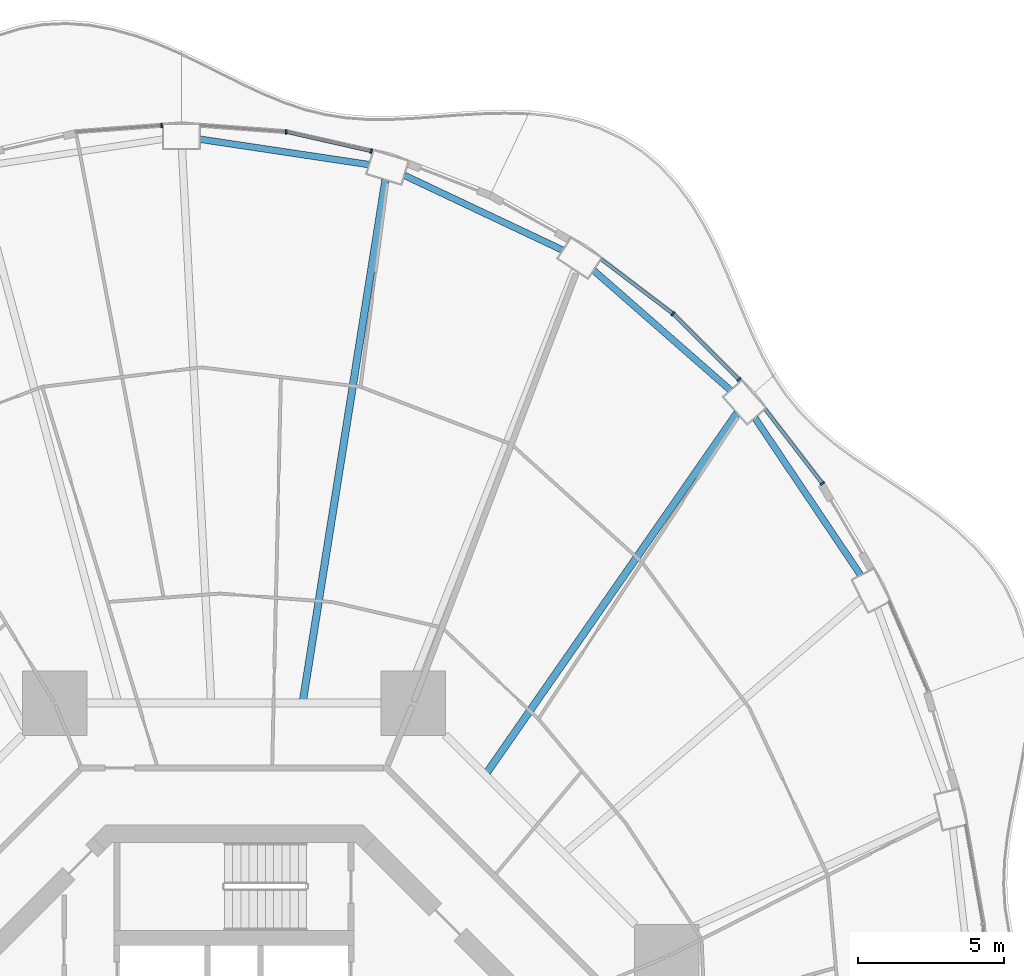
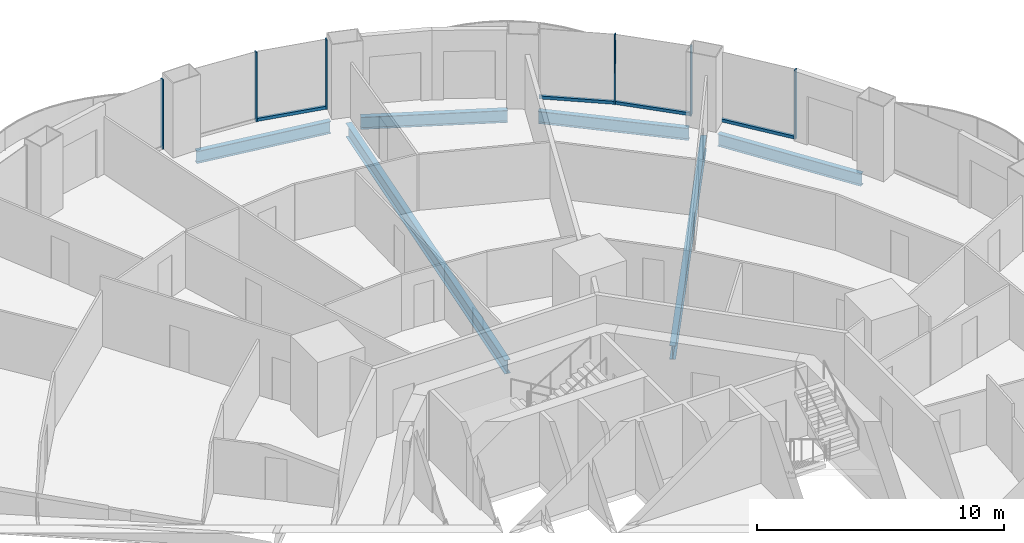
# One storey, part 11 of 22: 10 members, 6 beams, 6 elements without a shape of their own.
"""IFC4 building model written with IfcOpenShell, lengths in metres."""

from ifc_helpers import new_model, si_unit, direction, frame, origin, origin_2d, place, context, subcontext, project, spatial, rectangle, i_section, extrude, material, layer, layer_set, material_profile, profile_set, type_object, element, aggregate, save


model = new_model("IFC4")

# Units and contexts
model_context = context("Model", 3, precision=1e-05, world=origin(), true_north=direction((0.0, 1.0)))
body_context = subcontext(model_context, "Body", "Model", "MODEL_VIEW")
ifc_project = project(units=[si_unit("LENGTHUNIT", "METRE"), si_unit("AREAUNIT", "SQUARE_METRE"), si_unit("VOLUMEUNIT", "CUBIC_METRE"), si_unit("PLANEANGLEUNIT", "RADIAN"), si_unit("MASSUNIT", "GRAM", prefix="KILO")], contexts=[model_context])

# Site, building, storey
site_placement = place(None, origin())
site = spatial("IfcSite", under=ifc_project, at=site_placement, CompositionType="ELEMENT")
building_placement = place(site_placement, origin())
building = spatial("IfcBuilding", under=site, at=building_placement, Name="Nagisa Residences", CompositionType="ELEMENT")
storey_placement = place(building_placement, frame((0.0, 0.0, 84.39990234375)))
storey = spatial("IfcBuildingStorey", under=building, at=storey_placement, Name="L20", CompositionType="ELEMENT", Elevation=84.39990234375)

# Curtain wall, member
ifc_material_1 = material(Name="Concrete-coloured aluminium curtain wall system", Category="concrete")
ifc_layer = layer(ifc_material_1, 0.159912109375)
ifc_layer_set = layer_set([ifc_layer], Name="CW1 CURTAIN WALL")
curtain_wall_type = type_object("IfcCurtainWallType", Name="CW1 CURTAIN WALL", PredefinedType="NOTDEFINED", material=ifc_layer_set)
curtain_wall_1_placement = place(storey_placement, origin())
curtain_wall_1 = element("IfcCurtainWall", 1, at=curtain_wall_1_placement, inside=storey, type_object=curtain_wall_type, Name="cw:CW1:L20:05", PredefinedType="NOTDEFINED")
ifc_material_2 = material(Name="Concrete-coloured aluminium", Category="concrete")
ifc_material_profile_1 = material_profile(ifc_material_2, rectangle(XDim=0.159912109375, YDim=0.06005859375, at=origin_2d()), Name="CW1 MULLION 160x60")
ifc_profile_set_1 = profile_set([ifc_material_profile_1], Name="Concrete-coloured aluminium")
member_type_1 = type_object("IfcMemberType", Name="CW1 MULLION 160x60", PredefinedType="MULLION", material=ifc_profile_set_1)
member_1_placement = place(storey_placement, frame((20.09033203125, 22.27783203125, 0.0), z_axis=(0.0, 0.0, 1.0), x_axis=(-0.792070340816, -0.610429828235, 0.0)))
member_1 = element("IfcMember", 2, at=member_1_placement, type_object=member_type_1, Name="CW1 mullion", PredefinedType="MULLION", context=body_context, shape_type="SweptSolid", body=[
    extrude(rectangle(XDim=0.159912109375, YDim=0.06005859375, at=origin_2d()), origin(), (0.0, 0.0, 1.0), 3.440185546875),
])

curtain_wall_2_placement = place(storey_placement, origin())
curtain_wall_2 = element("IfcCurtainWall", 3, at=curtain_wall_2_placement, inside=storey, type_object=curtain_wall_type, Name="cw:CW1:L20:06", PredefinedType="NOTDEFINED")
member_2_placement = place(storey_placement, frame((17.24560546875, 25.825927734375, 0.0), z_axis=(0.0, 0.0, 1.0), x_axis=(-0.706376885714, -0.707835924016, 0.0)))
member_2 = element("IfcMember", 4, at=member_2_placement, type_object=member_type_1, Name="CW1 mullion", PredefinedType="MULLION", context=body_context, shape_type="SweptSolid", body=[
    extrude(rectangle(XDim=0.159912109375, YDim=0.06005859375, at=origin_2d()), origin(), (0.0, 0.0, 1.0), 3.440185546875),
])

curtain_wall_3_placement = place(storey_placement, origin())
curtain_wall_3 = element("IfcCurtainWall", 5, at=curtain_wall_3_placement, inside=storey, type_object=curtain_wall_type, Name="cw:CW1:L20:07", PredefinedType="NOTDEFINED")
member_3_placement = place(storey_placement, frame((14.9873046875, 28.07470703125, 0.0), z_axis=(0.0, 0.0, 1.0), x_axis=(-0.605255421737, -0.79603132756, 0.0)))
member_3 = element("IfcMember", 6, at=member_3_placement, type_object=member_type_1, Name="CW1 mullion", PredefinedType="MULLION", context=body_context, shape_type="SweptSolid", body=[
    extrude(rectangle(XDim=0.159912109375, YDim=0.06005859375, at=origin_2d()), origin(), (0.0, 0.0, 1.0), 3.440185546875),
])

curtain_wall_4_placement = place(storey_placement, origin())
curtain_wall_4 = element("IfcCurtainWall", 7, at=curtain_wall_4_placement, inside=storey, type_object=curtain_wall_type, Name="cw:CW1:L20:10", PredefinedType="NOTDEFINED")
member_4_placement = place(storey_placement, frame((4.68701171875, 33.630859375, 0.0), z_axis=(0.0, 0.0, 1.0), x_axis=(-0.2207639201, -0.975327274089, 0.0)))
member_4 = element("IfcMember", 8, at=member_4_placement, type_object=member_type_1, Name="CW1 mullion", PredefinedType="MULLION", context=body_context, shape_type="SweptSolid", body=[
    extrude(rectangle(XDim=0.159912109375, YDim=0.06005859375, at=origin_2d()), origin(), (0.0, 0.0, 1.0), 3.440185546875),
])

curtain_wall_5_placement = place(storey_placement, origin())
curtain_wall_5 = element("IfcCurtainWall", 9, at=curtain_wall_5_placement, inside=storey, type_object=curtain_wall_type, Name="cw:CW1:L20:11", PredefinedType="NOTDEFINED")
member_5_placement = place(storey_placement, frame((1.779052734375, 34.28564453125, 0.0), z_axis=(0.0, 0.0, 1.0), x_axis=(-0.074377355493, -0.997230168512, 0.0)))
member_5 = element("IfcMember", 10, at=member_5_placement, type_object=member_type_1, Name="CW1 mullion", PredefinedType="MULLION", context=body_context, shape_type="SweptSolid", body=[
    extrude(rectangle(XDim=0.159912109375, YDim=0.06005859375, at=origin_2d()), origin(), (0.0, 0.0, 1.0), 3.440185546875),
])
aggregate(curtain_wall_5, [member_5])

curtain_wall_6_placement = place(storey_placement, origin())
curtain_wall_6 = element("IfcCurtainWall", 11, at=curtain_wall_6_placement, inside=storey, type_object=curtain_wall_type, Name="cw:CW1:L20:12", PredefinedType="NOTDEFINED")
member_6_placement = place(storey_placement, frame((-2.47216796875, 34.50244140625, 0.0), z_axis=(0.0, 0.0, 1.0), x_axis=(0.074377355493, -0.997230168512, 0.0)))
member_6 = element("IfcMember", 12, at=member_6_placement, type_object=member_type_1, Name="CW1 mullion", PredefinedType="MULLION", context=body_context, shape_type="SweptSolid", body=[
    extrude(rectangle(XDim=0.159912109375, YDim=0.06005859375, at=origin_2d()), origin(), (0.0, 0.0, 1.0), 3.440185546875),
])
aggregate(curtain_wall_6, [member_6])

# Member
ifc_material_3 = material(Name="Concrete-coloured aluminium", Category="concrete")
ifc_material_profile_2 = material_profile(ifc_material_3, rectangle(XDim=0.1201171875, YDim=0.14990234375, at=origin_2d()), Name="CW1 TRANSOM 120x150")
ifc_profile_set_2 = profile_set([ifc_material_profile_2], Name="Concrete-coloured aluminium")
member_type_2 = type_object("IfcMemberType", Name="CW1 TRANSOM 120x150", PredefinedType="USERDEFINED", material=ifc_profile_set_2)
member_7_placement = place(storey_placement, frame((20.108642578125, 22.25390625, 0.0751953125), z_axis=(-0.610458970322, 0.792047880847, 0.0), x_axis=(-0.792047880847, -0.610458970322, 0.0)))
member_7 = element("IfcMember", 13, at=member_7_placement, type_object=member_type_2, Name="CW1 transom", ObjectType="TRANSOM", PredefinedType="USERDEFINED", context=body_context, shape_type="SweptSolid", body=[
    extrude(rectangle(XDim=0.1201171875, YDim=0.14990234375, at=origin_2d()), origin(), (0.0, 0.0, 1.0), 3.262939453125),
])

aggregate(curtain_wall_1, [member_1, member_7])

member_8_placement = place(storey_placement, frame((17.2666015625, 25.8046875, 0.0751953125), z_axis=(-0.707831724839, 0.70638109354, 0.0), x_axis=(-0.70638109354, -0.707831724839, 0.0)))
member_8 = element("IfcMember", 14, at=member_8_placement, type_object=member_type_2, Name="CW1 transom", ObjectType="TRANSOM", PredefinedType="USERDEFINED", context=body_context, shape_type="SweptSolid", body=[
    extrude(rectangle(XDim=0.1201171875, YDim=0.14990234375, at=origin_2d()), origin(), (0.0, 0.0, 1.0), 3.19775390625),
])

aggregate(curtain_wall_2, [member_2, member_8])

member_9_placement = place(storey_placement, frame((15.01123046875, 28.056640625, 0.0751953125), z_axis=(-0.796037575978, 0.605247203736, 0.0), x_axis=(-0.605247203736, -0.796037575978, 0.0)))
member_9 = element("IfcMember", 15, at=member_9_placement, type_object=member_type_2, Name="CW1 transom", ObjectType="TRANSOM", PredefinedType="USERDEFINED", context=body_context, shape_type="SweptSolid", body=[
    extrude(rectangle(XDim=0.1201171875, YDim=0.14990234375, at=origin_2d()), origin(), (0.0, 0.0, 1.0), 3.1337890625),
])

aggregate(curtain_wall_3, [member_3, member_9])

member_10_placement = place(storey_placement, frame((4.71630859375, 33.624267578125, 0.0751953125), z_axis=(-0.975313630467, 0.220824188497, 0.0), x_axis=(-0.220824188497, -0.975313630467, 0.0)))
member_10 = element("IfcMember", 16, at=member_10_placement, type_object=member_type_2, Name="CW1 transom", ObjectType="TRANSOM", PredefinedType="USERDEFINED", context=body_context, shape_type="SweptSolid", body=[
    extrude(rectangle(XDim=0.1201171875, YDim=0.14990234375, at=origin_2d()), origin(), (0.0, 0.0, 1.0), 2.992919921875),
])

aggregate(curtain_wall_4, [member_4, member_10])

# Beams
ifc_material_4 = material(Name="Steel ASTM A572 Gr 50", Category="steel")
ifc_material_profile_3 = material_profile(ifc_material_4, i_section(OverallWidth=0.22802734375, OverallDepth=0.60302734375, WebThickness=0.010498046875, FlangeThickness=0.014892578125, at=origin_2d()), Name="W610x101")
ifc_profile_set_3 = profile_set([ifc_material_profile_3], Name="Steel ASTM A572 Gr 50")
beam_type_1 = type_object("IfcBeamType", Name="Perimeter ring beam W610x101", PredefinedType="BEAM", material=ifc_profile_set_3)
beam_1_placement = place(storey_placement, frame((21.397216796875, 19.152099609375, -0.5615234375), z_axis=(-0.55824704812, 0.829674775599, 0.0), x_axis=(-0.829674775599, -0.55824704812, 0.0)))
element("IfcBeam", 17, at=beam_1_placement, inside=storey, type_object=beam_type_1, Name="beam:L20:pb03", PredefinedType="BEAM", context=body_context, shape_type="SweptSolid", body=[
    extrude(i_section(OverallWidth=0.22802734375, OverallDepth=0.60302734375, WebThickness=0.010498046875, FlangeThickness=0.014892578125, at=origin_2d()), origin(), (0.0, 0.0, 1.0), 6.4716796875),
])
beam_2_placement = place(storey_placement, frame((16.951416015625, 25.46728515625, -0.5615234375), z_axis=(-0.752525569707, 0.658563031863, 0.0), x_axis=(-0.658563031863, -0.752525569707, 0.0)))
element("IfcBeam", 18, at=beam_2_placement, inside=storey, type_object=beam_type_1, Name="beam:L20:pb04", PredefinedType="BEAM", context=body_context, shape_type="SweptSolid", body=[
    extrude(i_section(OverallWidth=0.22802734375, OverallDepth=0.60302734375, WebThickness=0.010498046875, FlangeThickness=0.014892578125, at=origin_2d()), origin(), (0.0, 0.0, 1.0), 6.21240234375),
])
beam_3_placement = place(storey_placement, frame((11.22216796875, 30.249267578125, -0.5615234375), z_axis=(-0.904196975776, 0.427115709144, 0.0), x_axis=(-0.427115709144, -0.904196975776, 0.0)))
element("IfcBeam", 19, at=beam_3_placement, inside=storey, type_object=beam_type_1, Name="beam:L20:pb05", PredefinedType="BEAM", context=body_context, shape_type="SweptSolid", body=[
    extrude(i_section(OverallWidth=0.22802734375, OverallDepth=0.60302734375, WebThickness=0.010498046875, FlangeThickness=0.014892578125, at=origin_2d()), origin(), (0.0, 0.0, 1.0), 5.980712890625),
])
beam_4_placement = place(storey_placement, frame((4.608642578125, 33.17041015625, -0.5615234375), z_axis=(-0.988913048607, 0.148495731568, 0.0), x_axis=(-0.148495731568, -0.988913048607, 0.0)))
element("IfcBeam", 20, at=beam_4_placement, inside=storey, type_object=beam_type_1, Name="beam:L20:pb06", PredefinedType="BEAM", context=body_context, shape_type="SweptSolid", body=[
    extrude(i_section(OverallWidth=0.22802734375, OverallDepth=0.60302734375, WebThickness=0.010498046875, FlangeThickness=0.014892578125, at=origin_2d()), origin(), (0.0, 0.0, 1.0), 5.843017578125),
])
ifc_material_5 = material(Name="Steel ASTM A572 Gr 50", Category="steel")
ifc_material_profile_4 = material_profile(ifc_material_5, i_section(OverallWidth=0.2529296875, OverallDepth=0.677978515625, WebThickness=0.01171875, FlangeThickness=0.016357421875, at=origin_2d()), Name="W690x125")
ifc_profile_set_4 = profile_set([ifc_material_profile_4], Name="Steel ASTM A572 Gr 50")
beam_type_2 = type_object("IfcBeamType", Name="Radial beam W690x125", PredefinedType="BEAM", material=ifc_profile_set_4)
beam_5_placement = place(storey_placement, frame((17.176513671875, 24.6845703125, -0.598876953125), z_axis=(-0.571167903467, -0.820833251062, 0.0), x_axis=(0.820833251062, -0.571167903467, 0.0)))
element("IfcBeam", 21, at=beam_5_placement, inside=storey, type_object=beam_type_2, Name="beam:L20:rb04", PredefinedType="BEAM", context=body_context, shape_type="SweptSolid", body=[
    extrude(i_section(OverallWidth=0.2529296875, OverallDepth=0.677978515625, WebThickness=0.01171875, FlangeThickness=0.016357421875, at=origin_2d()), origin(), (0.0, 0.0, 1.0), 14.93994140625),
])
beam_6_placement = place(storey_placement, frame((5.170654296875, 32.64697265625, -0.598876953125), z_axis=(-0.156426410961, -0.987689616202, 0.0), x_axis=(0.987689616202, -0.156426410961, 0.0)))
element("IfcBeam", 22, at=beam_6_placement, inside=storey, type_object=beam_type_2, Name="beam:L20:rb06", PredefinedType="BEAM", context=body_context, shape_type="SweptSolid", body=[
    extrude(i_section(OverallWidth=0.2529296875, OverallDepth=0.677978515625, WebThickness=0.01171875, FlangeThickness=0.016357421875, at=origin_2d()), origin(), (0.0, 0.0, 1.0), 17.973388671875),
])

save(model, "model.ifc")
